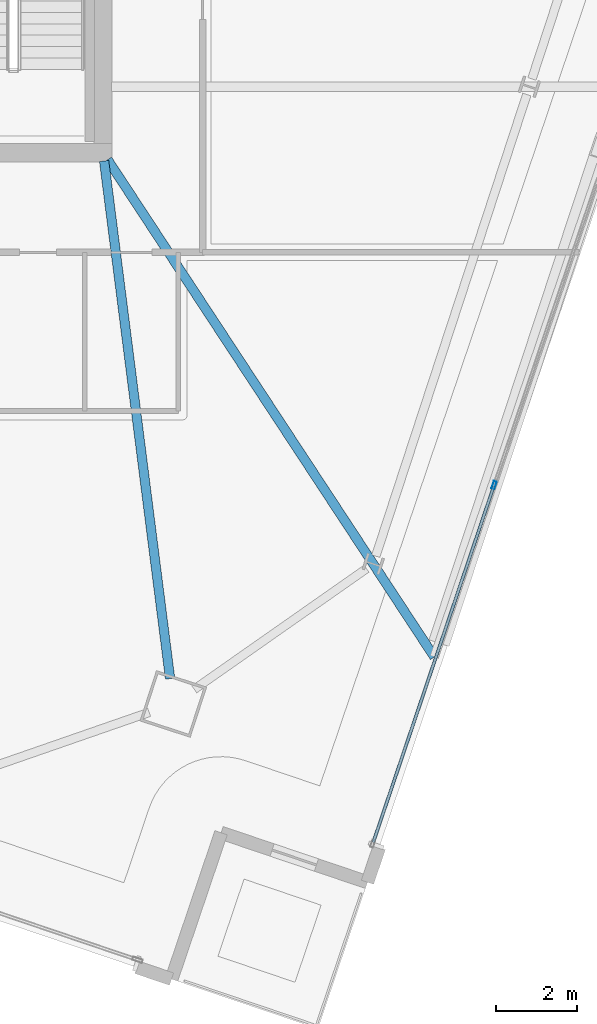
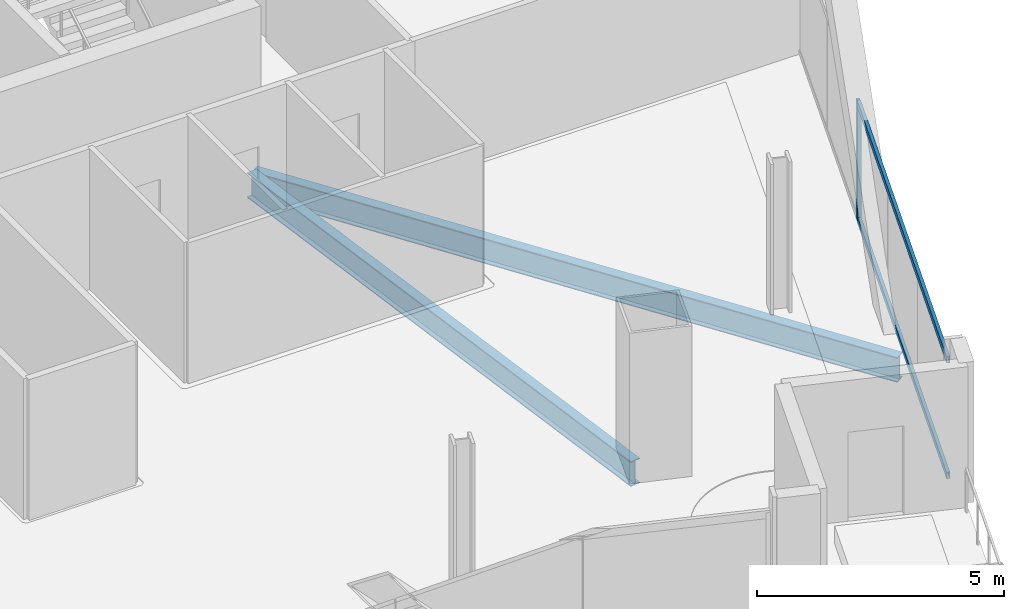
# One storey, part 8 of 29: 3 members, 2 beams, 1 element without a shape of its own.
"""IFC4 building model written with IfcOpenShell, lengths in metres."""

import ifcopenshell
import ifcopenshell.guid

model = None  # the IFC model being written
_history = None  # IfcOwnerHistory: only IFC2X3 demands one
_inside = {}  # id of a spatial element -> (the spatial element, [elements in it])
_under = {}  # id of a project, library or spatial element -> (it, [spatial elements below it])
_declared = {}  # id of a project -> (the project, [libraries it declares])
_typed = {}  # id of a type object -> (the type object, [elements of that type])
_made_of = {}  # id of a material, layer set ... -> (it, [elements and type objects made of it])


def new_model(schema):
    """Start an empty IFC model of exactly this schema.

    Asked for "IFC4X3", IfcOpenShell would pick the latest addendum, in which some entities
    have other attributes; the version numbers below select the first issue.
    IFC2X3 requires an IfcOwnerHistory on every rooted entity: one is made here for all.
    """
    global model, _history
    if schema == "IFC4X3":
        model = ifcopenshell.file(schema_version=(4, 3, 0, 0))
    else:
        model = ifcopenshell.file(schema=schema)
    _inside.clear()
    _under.clear()
    _declared.clear()
    _typed.clear()
    _made_of.clear()
    _history = None
    if model.schema == "IFC2X3":
        org = make("IfcOrganization", Name="unknown")
        user = make(
            "IfcPersonAndOrganization",
            ThePerson=make("IfcPerson", FamilyName="unknown"),
            TheOrganization=org,
        )
        app = make(
            "IfcApplication",
            ApplicationDeveloper=org,
            Version="unknown",
            ApplicationFullName="unknown",
            ApplicationIdentifier="unknown",
        )
        _history = make(
            "IfcOwnerHistory",
            OwningUser=user,
            OwningApplication=app,
            ChangeAction="ADDED",
            CreationDate=0,
        )
    return model


def make(cls, **values):
    """One entity of the class cls with the attributes given. An attribute that is None is left unset."""
    return model.create_entity(
        cls, **{name: value for name, value in values.items() if value is not None}
    )


def rooted(cls, **values):
    """An entity with a GlobalId (a new one), such as an element, a storey or a relation."""
    return make(cls, GlobalId=ifcopenshell.guid.new(), OwnerHistory=_history, **values)


def si_unit(unit_type, name, prefix=None):
    """IfcSIUnit, for example si_unit("LENGTHUNIT", "METRE", prefix="MILLI")."""
    return make("IfcSIUnit", UnitType=unit_type, Prefix=prefix, Name=name)


def assignment(units):
    """IfcUnitAssignment: the units of a project."""
    return None if units is None else make("IfcUnitAssignment", Units=units)


def point(xyz):
    """IfcCartesianPoint."""
    return None if xyz is None else make("IfcCartesianPoint", Coordinates=xyz)


def direction(xyz):
    """IfcDirection."""
    return None if xyz is None else make("IfcDirection", DirectionRatios=xyz)


def frame(location, z_axis=None, x_axis=None):
    """IfcAxis2Placement3D, a coordinate frame: its origin and axes. An axis left out is left unset."""
    return make(
        "IfcAxis2Placement3D",
        Location=point(location),
        Axis=direction(z_axis),
        RefDirection=direction(x_axis),
    )


def frame_2d(location, x_axis=None):
    """IfcAxis2Placement2D, a coordinate frame in the plane: its origin and x axis."""
    return make(
        "IfcAxis2Placement2D", Location=point(location), RefDirection=direction(x_axis)
    )


def origin():
    """The frame at (0, 0, 0) with its axes left unset."""
    return frame((0.0, 0.0, 0.0))


def origin_2d():
    """The frame at (0, 0) in the plane with its x axis left unset."""
    return frame_2d((0.0, 0.0))


def place(relative_to, where):
    """IfcLocalPlacement: puts the frame where relative to a parent placement (None: the world)."""
    return make(
        "IfcLocalPlacement", PlacementRelTo=relative_to, RelativePlacement=where
    )


def context(
    kind, dimensions, precision=None, world=None, true_north=None, identifier=None
):
    """IfcGeometricRepresentationContext, for example the 3D "Model" context."""
    return make(
        "IfcGeometricRepresentationContext",
        ContextIdentifier=identifier,
        ContextType=kind,
        CoordinateSpaceDimension=dimensions,
        Precision=precision,
        WorldCoordinateSystem=world,
        TrueNorth=true_north,
    )


def subcontext(parent, identifier, kind, view, scale=None):
    """IfcGeometricRepresentationSubContext, for example "Body" below "Model"."""
    return make(
        "IfcGeometricRepresentationSubContext",
        ContextIdentifier=identifier,
        ContextType=kind,
        ParentContext=parent,
        TargetScale=scale,
        TargetView=view,
    )


def project(units=None, contexts=None):
    """IfcProject with its units and contexts."""
    return rooted(
        "IfcProject",
        Name="project",
        RepresentationContexts=contexts,
        UnitsInContext=assignment(units),
    )


def spatial(cls, under=None, at=None, **own):
    """A site, building, storey or space (cls), placed at a placement, below another one or the project."""
    s = rooted(cls, ObjectPlacement=at, **own)
    if under is not None:
        _under.setdefault(under.id(), (under, []))[1].append(s)
    return s


def profile(cls, at=None, kind="AREA", **sizes):
    """A parametric profile (cls). Its sizes go by their IFC names, for example OverallWidth=200.0."""
    return make(cls, ProfileType=kind, Position=at, **sizes)


def hollow_rectangle(**sizes):
    """IfcRectangleHollowProfileDef."""
    return profile("IfcRectangleHollowProfileDef", **sizes)


def i_section(**sizes):
    """IfcIShapeProfileDef."""
    return profile("IfcIShapeProfileDef", **sizes)


def extrude(swept, where, along, depth):
    """IfcExtrudedAreaSolid: the profile swept, set in the frame where, extruded along a direction by depth."""
    return make(
        "IfcExtrudedAreaSolid",
        SweptArea=swept,
        Position=where,
        ExtrudedDirection=direction(along),
        Depth=depth,
    )


def shape(context_of_items, identifier, shape_type, items):
    """IfcShapeRepresentation: the items that make up one representation, for example the "Body"."""
    return make(
        "IfcShapeRepresentation",
        ContextOfItems=context_of_items,
        RepresentationIdentifier=identifier,
        RepresentationType=shape_type,
        Items=items,
    )


def material(Name=None, Category=None):
    """IfcMaterial."""
    return make("IfcMaterial", Name=Name, Category=Category)


def material_profile(
    of_material, cross_section, Name=None, Category=None, Priority=None
):
    """IfcMaterialProfile: a cross section and its material."""
    return make(
        "IfcMaterialProfile",
        Name=Name,
        Material=of_material,
        Profile=cross_section,
        Priority=Priority,
        Category=Category,
    )


def profile_set(profiles, Name=None, composite=None):
    """IfcMaterialProfileSet."""
    return make(
        "IfcMaterialProfileSet",
        Name=Name,
        MaterialProfiles=profiles,
        CompositeProfile=composite,
    )


def made_of(thing, what):
    """Note that an element or type object is made of a material, layer set ...; save() writes the relation."""
    if what is not None:
        _made_of.setdefault(what.id(), (what, []))[1].append(thing)
    return thing


def type_object(cls, material=None, **own):
    """A type object (cls), such as IfcWallType, which elements share."""
    return made_of(rooted(cls, **own), material)


def element(
    cls,
    number,
    at=None,
    inside=None,
    cuts=None,
    type_object=None,
    material=None,
    context=None,
    identifier="Body",
    shape_type=None,
    held_by="IfcProductDefinitionShape",
    body=None,
    shapes=None,
    **own,
):
    """One element of the class cls, such as IfcWall. Its Tag is "e" and its number.

    at: its placement. inside: the storey or other place that contains it. cuts: it is an
    opening in that element (IfcRelVoidsElement). A single representation is given by context,
    identifier, shape_type and body (its items); several are given by shapes. held_by: the class
    of the entity that holds the representations. save() writes the other relations.
    """
    e = rooted(cls, Tag="e%d" % number, ObjectPlacement=at, **own)
    if body is not None:
        shapes = [shape(context, identifier, shape_type, body)]
    if shapes is not None:
        e.Representation = make(held_by, Representations=shapes)
    if inside is not None:
        _inside.setdefault(inside.id(), (inside, []))[1].append(e)
    if cuts is not None:
        rooted(
            "IfcRelVoidsElement", RelatingBuildingElement=cuts, RelatedOpeningElement=e
        )
    if type_object is not None:
        _typed.setdefault(type_object.id(), (type_object, []))[1].append(e)
    return made_of(e, material)


def aggregate(whole, parts):
    """IfcRelAggregates: a whole, such as a stair, and the parts it consists of."""
    return rooted("IfcRelAggregates", RelatingObject=whole, RelatedObjects=parts)


def save(model, path):
    """Write the relations noted so far, then the file.

    IfcRelAggregates (storeys below a building ...), IfcRelContainedInSpatialStructure (elements
    in a storey), IfcRelDefinesByType, IfcRelAssociatesMaterial and IfcRelDeclares: one each for
    every whole, place, type object, material and project.
    """
    for whole, parts in _under.values():
        aggregate(whole, parts)
    for where, things in _inside.values():
        rooted(
            "IfcRelContainedInSpatialStructure",
            RelatedElements=things,
            RelatingStructure=where,
        )
    for kind, things in _typed.values():
        rooted("IfcRelDefinesByType", RelatedObjects=things, RelatingType=kind)
    for what, things in _made_of.values():
        rooted("IfcRelAssociatesMaterial", RelatedObjects=things, RelatingMaterial=what)
    for by, libraries in _declared.values():
        rooted("IfcRelDeclares", RelatingContext=by, RelatedDefinitions=libraries)
    model.write(path)


model = new_model("IFC4")

# Units and contexts
model_context = context("Model", 3, precision=1e-05, world=origin(), true_north=direction((0.0, 1.0)))
body_context = subcontext(model_context, "Body", "Model", "MODEL_VIEW")
ifc_project = project(units=[si_unit("LENGTHUNIT", "METRE"), si_unit("AREAUNIT", "SQUARE_METRE"), si_unit("VOLUMEUNIT", "CUBIC_METRE"), si_unit("PLANEANGLEUNIT", "RADIAN"), si_unit("MASSUNIT", "GRAM", prefix="KILO")], contexts=[model_context])

# Site, building, storey
site_placement = place(None, origin())
site = spatial("IfcSite", under=ifc_project, at=site_placement, CompositionType="ELEMENT")
building_placement = place(site_placement, origin())
building = spatial("IfcBuilding", under=site, at=building_placement, Name="Haldenkirk Collegiate Tower", CompositionType="ELEMENT")
storey_placement = place(building_placement, frame((0.0, 0.0, 267.449951171875)))
storey = spatial("IfcBuildingStorey", under=building, at=storey_placement, Name="L67", CompositionType="ELEMENT", Elevation=267.449951171875)

# Beams
ifc_material_1 = material(Name="Steel ASTM A992 Grade 50", Category="steel")
ifc_material_profile_1 = material_profile(ifc_material_1, i_section(OverallWidth=0.22998046875, OverallDepth=0.616943359375, WebThickness=0.01318359375, FlangeThickness=0.022216796875, at=origin_2d()), Name="W24X94")
ifc_profile_set_1 = profile_set([ifc_material_profile_1], Name="Steel ASTM A992 Grade 50")
beam_type = type_object("IfcBeamType", Name="BM-GIRDER-W24X94", PredefinedType="BEAM", material=ifc_profile_set_1)
beam_1_placement = place(storey_placement, frame((46.6484375, 5.0693359375, -0.578369140625), z_axis=(-0.126462976839, 0.991971327957, 0.0), x_axis=(-0.991971327957, -0.126462976839, 0.0)))
element("IfcBeam", 1, at=beam_1_placement, inside=storey, type_object=beam_type, Name="L67 primary floor girder 01", PredefinedType="BEAM", context=body_context, shape_type="SweptSolid", body=[
    extrude(i_section(OverallWidth=0.22998046875, OverallDepth=0.616943359375, WebThickness=0.01318359375, FlangeThickness=0.022216796875, at=origin_2d()), origin(), (0.0, 0.0, 1.0), 12.830322265625),
])
beam_2_placement = place(storey_placement, frame((53.145263671875, 5.60205078125, -0.578369140625), z_axis=(-0.549087970614, 0.835764560463, 0.0), x_axis=(-0.835764560463, -0.549087970614, 0.0)))
element("IfcBeam", 2, at=beam_2_placement, inside=storey, type_object=beam_type, Name="L67 primary floor girder 05", PredefinedType="BEAM", context=body_context, shape_type="SweptSolid", body=[
    extrude(i_section(OverallWidth=0.22998046875, OverallDepth=0.616943359375, WebThickness=0.01318359375, FlangeThickness=0.022216796875, at=origin_2d()), origin(), (0.0, 0.0, 1.0), 14.629150390625),
])

# Curtain wall, members
ifc_material_2 = material(Name="Anodised architectural bronze aluminium", Category="aluminium")
curtain_wall_type = type_object("IfcCurtainWallType", Name="CW-SYS2-CONCAVE", PredefinedType="USERDEFINED", material=ifc_material_2)
curtain_wall_placement = place(storey_placement, origin())
curtain_wall = element("IfcCurtainWall", 3, at=curtain_wall_placement, inside=storey, type_object=curtain_wall_type, Name="L67 South concave recessed bronze-anodised curtain wall", ObjectType="UNITISED CURTAIN WALL", PredefinedType="USERDEFINED")
ifc_material_profile_2 = material_profile(ifc_material_2, hollow_rectangle(XDim=0.074951171875, YDim=0.18994140625, WallThickness=0.0048828125, at=origin_2d()), Name="CW-MUL-02")
ifc_profile_set_2 = profile_set([ifc_material_profile_2], Name="Anodised architectural bronze aluminium")
member_type_1 = type_object("IfcMemberType", Name="CW-MUL-02", PredefinedType="MULLION", material=ifc_profile_set_2)
member_1_placement = place(storey_placement, frame((54.61767578125, 9.8271484375, 0.0), z_axis=(0.0, 0.0, 1.0), x_axis=(0.947210310666, -0.320612893328, 0.0)))
member_1 = element("IfcMember", 4, at=member_1_placement, type_object=member_type_1, Name="CW-02 mullion 4", PredefinedType="MULLION", context=body_context, shape_type="SweptSolid", body=[
    extrude(hollow_rectangle(XDim=0.074951171875, YDim=0.18994140625, WallThickness=0.0048828125, at=origin_2d()), origin(), (0.0, 0.0, 1.0), 2.93798828125),
])
ifc_material_profile_3 = material_profile(ifc_material_2, hollow_rectangle(XDim=0.074951171875, YDim=0.159912109375, WallThickness=0.0048828125, at=origin_2d()), Name="CW-TRN-02")
ifc_profile_set_3 = profile_set([ifc_material_profile_3], Name="Anodised architectural bronze aluminium")
member_type_2 = type_object("IfcMemberType", Name="CW-TRN-02", PredefinedType="USERDEFINED", material=ifc_profile_set_3)
member_2_placement = place(storey_placement, frame((54.605712890625, 9.791748046875, 0.03759765625), z_axis=(-0.320608942548, -0.947211647921, 0.0), x_axis=(0.947211647921, -0.320608942548, 0.0)))
member_2 = element("IfcMember", 5, at=member_2_placement, type_object=member_type_2, Name="CW-02 transom 4.1", ObjectType="TRANSOM", PredefinedType="USERDEFINED", context=body_context, shape_type="SweptSolid", body=[
    extrude(hollow_rectangle(XDim=0.074951171875, YDim=0.159912109375, WallThickness=0.0048828125, at=origin_2d()), origin(), (0.0, 0.0, 1.0), 9.237548828125),
])
member_3_placement = place(storey_placement, frame((54.605712890625, 9.791748046875, 2.900634765625), z_axis=(-0.320608942548, -0.947211647921, 0.0), x_axis=(0.947211647921, -0.320608942548, 0.0)))
member_3 = element("IfcMember", 6, at=member_3_placement, type_object=member_type_2, Name="CW-02 transom 4.2", ObjectType="TRANSOM", PredefinedType="USERDEFINED", context=body_context, shape_type="SweptSolid", body=[
    extrude(hollow_rectangle(XDim=0.074951171875, YDim=0.159912109375, WallThickness=0.0048828125, at=origin_2d()), origin(), (0.0, 0.0, 1.0), 9.237548828125),
])
aggregate(curtain_wall, [member_1, member_2, member_3])

save(model, "model.ifc")
